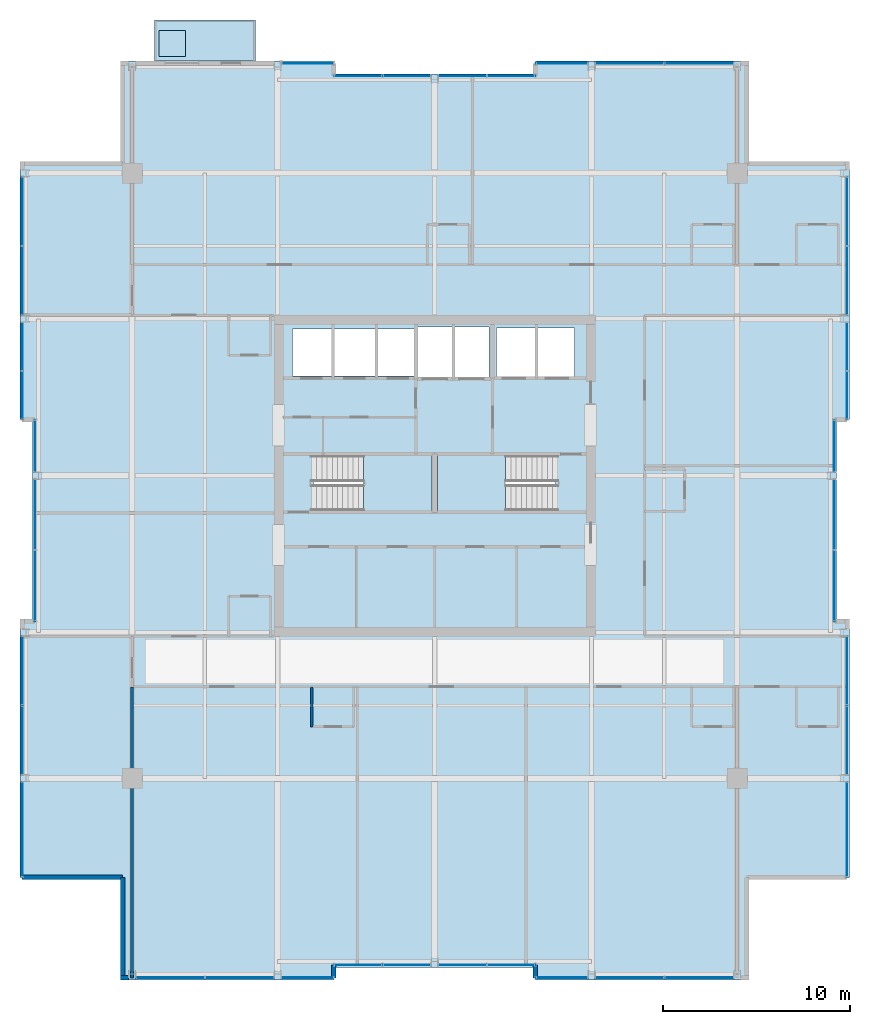
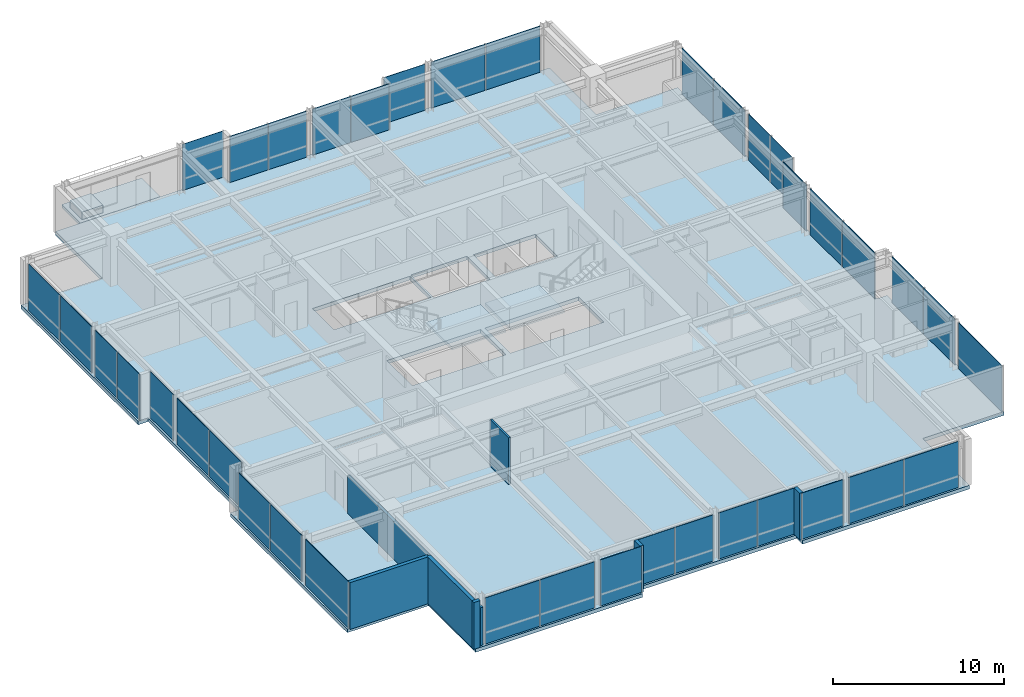
# One storey, part 24 of 30: 38 plates, 7 walls, 5 slabs, 25 elements without a shape of their own.
"""IFC4 building model written with IfcOpenShell, lengths in metres."""

from ifc_helpers import new_model, si_unit, direction, frame, frame_2d, origin, origin_2d, place, context, subcontext, project, spatial, polyline, rectangle, outline, extrude, material, layer, layer_set, type_object, element, aggregate, save


model = new_model("IFC4")

# Units and contexts
model_context = context("Model", 3, precision=1e-05, world=origin(), true_north=direction((0.0, 1.0)))
body_context = subcontext(model_context, "Body", "Model", "MODEL_VIEW")
ifc_project = project(units=[si_unit("LENGTHUNIT", "METRE"), si_unit("AREAUNIT", "SQUARE_METRE"), si_unit("VOLUMEUNIT", "CUBIC_METRE"), si_unit("PLANEANGLEUNIT", "RADIAN"), si_unit("MASSUNIT", "GRAM", prefix="KILO")], contexts=[model_context])

# Site, building, storey
site_placement = place(None, origin())
site = spatial("IfcSite", under=ifc_project, at=site_placement, CompositionType="ELEMENT")
building_placement = place(site_placement, origin())
building = spatial("IfcBuilding", under=site, at=building_placement, Name="Drelvath Grand Hotel", CompositionType="ELEMENT")
storey_placement = place(building_placement, frame((0.0, 0.0, 215.89990234375)))
storey = spatial("IfcBuildingStorey", under=building, at=storey_placement, Name="L56", CompositionType="ELEMENT", Elevation=215.89990234375)

# Slabs
ifc_material_1 = material(Name="Concrete f'c 40 MPa", Category="concrete")
ifc_layer_1 = layer(ifc_material_1, 0.239990234375)
ifc_layer_set_1 = layer_set([ifc_layer_1], Name="Concrete f'c 40 MPa")
slab_type_1 = type_object("IfcSlabType", Name="Cantilevered Tree Balcony Slab 240", PredefinedType="FLOOR", material=ifc_layer_set_1)
slab_1_placement = place(storey_placement, frame((0.0, 0.0, -0.239990234375)))
element("IfcSlab", 1, at=slab_1_placement, inside=storey, type_object=slab_type_1, Name="L56 Cantilevered Tree Balcony Slab 1", PredefinedType="FLOOR", context=body_context, shape_type="SweptSolid", body=[
    extrude(outline(polyline([(-15.0, 49.199951171875), (-9.60009765625, 49.199951171875), (-9.60009765625, 51.39990234375), (-15.0, 51.39990234375), (-15.0, 49.199951171875)])), origin(), (0.0, 0.0, 1.0), 0.239990234375),
])
ifc_layer_2 = layer(ifc_material_1, 0.260009765625)
ifc_layer_set_2 = layer_set([ifc_layer_2], Name="Concrete f'c 40 MPa")
slab_type_2 = type_object("IfcSlabType", Name="Composite RC Floor Slab 260", PredefinedType="FLOOR", material=ifc_layer_set_2)
slab_2_placement = place(storey_placement, frame((0.0, 0.0, -0.260009765625)))
element("IfcSlab", 2, at=slab_2_placement, inside=storey, type_object=slab_type_2, Name="L56 Structural Floor Slab", PredefinedType="FLOOR", context=body_context, shape_type="SweptSolid", body=[
    extrude(outline(polyline([(-16.699951171875, 0.0), (-5.39990234375, 0.0), (-5.39990234375, 0.679931640625), (5.39990234375, 0.679931640625), (5.39990234375, 0.0), (16.699951171875, 0.0), (16.699951171875, 5.5), (22.199951171875, 5.5), (22.199951171875, 19.199951171875), (21.52001953125, 19.199951171875), (21.52001953125, 30.0), (22.199951171875, 30.0), (22.199951171875, 43.699951171875), (16.699951171875, 43.699951171875), (16.699951171875, 49.199951171875), (5.39990234375, 49.199951171875), (5.39990234375, 48.52001953125), (-5.39990234375, 48.52001953125), (-5.39990234375, 49.199951171875), (-16.699951171875, 49.199951171875), (-16.699951171875, 43.699951171875), (-22.199951171875, 43.699951171875), (-22.199951171875, 30.0), (-21.52001953125, 30.0), (-21.52001953125, 19.199951171875), (-22.199951171875, 19.199951171875), (-22.199951171875, 5.5), (-16.699951171875, 5.5), (-16.699951171875, 0.0)]), holes=[polyline([(-6.47998046875, 25.1201171875), (-6.47998046875, 28.080078125), (-0.14990234375, 28.080078125), (-0.14990234375, 25.1201171875), (-6.47998046875, 25.1201171875)]), polyline([(0.14990234375, 25.1201171875), (0.14990234375, 28.080078125), (6.47998046875, 28.080078125), (6.47998046875, 25.1201171875), (0.14990234375, 25.1201171875)]), polyline([(-7.60009765625, 32.35009765625), (-7.60009765625, 34.85009765625), (-1.02001953125, 34.85009765625), (-1.02001953125, 32.35009765625), (-7.60009765625, 32.35009765625)]), polyline([(-0.89990234375, 32.25), (-0.89990234375, 34.949951171875), (2.89990234375, 34.949951171875), (2.89990234375, 32.25), (-0.89990234375, 32.25)]), polyline([(3.300048828125, 32.300048828125), (3.300048828125, 34.89990234375), (7.5, 34.89990234375), (7.5, 32.300048828125), (3.300048828125, 32.300048828125)])]), origin(), (0.0, 0.0, 1.0), 0.260009765625),
])

# Stair, slab
ifc_material_2 = material(Name="Concrete C40/50", Category="concrete")
stair_type = type_object("IfcStairType", Name="Dogleg Exit Stair W1400-R163.6", PredefinedType="HALF_TURN_STAIR", material=ifc_material_2)
stair_1_placement = place(storey_placement, origin())
stair_1 = element("IfcStair", 3, at=stair_1_placement, inside=storey, type_object=stair_type, Name="L56 Core Exit Stair ST-1", PredefinedType="HALF_TURN_STAIR")
ifc_layer_3 = layer(ifc_material_2, 0.199951171875)
ifc_layer_set_3 = layer_set([ifc_layer_3], Name="Concrete C40/50")
slab_type_3 = type_object("IfcSlabType", Name="Concrete Stair Landing Slab 200", PredefinedType="LANDING", material=ifc_layer_set_3)
slab_3_placement = place(storey_placement, frame((0.0, 0.0, 1.60009765625)))
slab_3 = element("IfcSlab", 4, at=slab_3_placement, type_object=slab_type_3, Name="ST-1 landing 1", PredefinedType="LANDING", context=body_context, shape_type="SweptSolid", body=[
    extrude(outline(polyline([(-3.800048828125, 25.1201171875), (-0.14990234375, 25.1201171875), (-0.14990234375, 28.080078125), (-3.800048828125, 28.080078125), (-3.800048828125, 25.1201171875)])), origin(), (0.0, 0.0, 1.0), 0.199951171875),
])
aggregate(stair_1, [slab_3])

stair_2_placement = place(storey_placement, origin())
stair_2 = element("IfcStair", 5, at=stair_2_placement, inside=storey, type_object=stair_type, Name="L56 Core Exit Stair ST-2", PredefinedType="HALF_TURN_STAIR")
slab_4_placement = place(storey_placement, frame((0.0, 0.0, 1.60009765625)))
slab_4 = element("IfcSlab", 6, at=slab_4_placement, type_object=slab_type_3, Name="ST-2 landing 1", PredefinedType="LANDING", context=body_context, shape_type="SweptSolid", body=[
    extrude(outline(polyline([(3.800048828125, 28.080078125), (0.14990234375, 28.080078125), (0.14990234375, 25.1201171875), (3.800048828125, 25.1201171875), (3.800048828125, 28.080078125)])), origin(), (0.0, 0.0, 1.0), 0.199951171875),
])
aggregate(stair_2, [slab_4])

# Curtain wall, plate
ifc_material_3 = material(Name="Platinum-Mist Anodised Aluminium Frame", Category="aluminium")
ifc_layer_4 = layer(ifc_material_3, 0.199951171875)
ifc_layer_set_4 = layer_set([ifc_layer_4], Name="Platinum-Mist Anodised Aluminium Frame")
curtain_wall_type = type_object("IfcCurtainWallType", Name="Stick Curtain Wall CW-05 Platinum Mist High-Rise", PredefinedType="NOTDEFINED", material=ifc_layer_set_4)
curtain_wall_1_placement = place(storey_placement, origin())
curtain_wall_1 = element("IfcCurtainWall", 7, at=curtain_wall_1_placement, inside=storey, type_object=curtain_wall_type, Name="L56 CW-05 Curtain Wall CW05-L56-WS1", PredefinedType="NOTDEFINED")
ifc_material_4 = material(Name="Low-E Triple Silver High-Altitude Glass", Category="glass")
ifc_layer_5 = layer(ifc_material_4, 0.035888671875)
ifc_layer_set_5 = layer_set([ifc_layer_5], Name="Low-E Triple Silver High-Altitude Glass")
plate_type = type_object("IfcPlateType", Name="Curtain Wall Vision Panel CW-05 36mm", PredefinedType="CURTAIN_PANEL", material=ifc_layer_set_5)
plate_1_placement = place(storey_placement, frame((-22.080078125, 8.057373046875, 0.02001953125), z_axis=(0.0, 0.0, 1.0), x_axis=(0.0, 1.0, 0.0)))
plate_1 = element("IfcPlate", 8, at=plate_1_placement, type_object=plate_type, Name="CW05-L56-WS1 Glazed Panel 1", PredefinedType="CURTAIN_PANEL", context=body_context, shape_type="SweptSolid", body=[
    extrude(rectangle(XDim=5.07470703125, YDim=0.035888671875, at=origin_2d()), origin(), (0.0, 0.0, 1.0), 3.300048828125),
])
aggregate(curtain_wall_1, [plate_1])

# Curtain wall, plates
curtain_wall_2_placement = place(storey_placement, origin())
curtain_wall_2 = element("IfcCurtainWall", 9, at=curtain_wall_2_placement, inside=storey, type_object=curtain_wall_type, Name="L56 CW-05 Curtain Wall CW05-L56-WS2", PredefinedType="NOTDEFINED")
plate_2_placement = place(storey_placement, frame((-22.080078125, 12.842529296875, 0.02001953125), z_axis=(0.0, 0.0, 1.0), x_axis=(0.0, 1.0, 0.0)))
plate_2 = element("IfcPlate", 10, at=plate_2_placement, type_object=plate_type, Name="CW05-L56-WS2 Glazed Panel 1", PredefinedType="CURTAIN_PANEL", context=body_context, shape_type="SweptSolid", body=[
    extrude(rectangle(XDim=3.6748046875, YDim=0.035888671875, at=origin_2d()), origin(), (0.0, 0.0, 1.0), 3.300048828125),
])
plate_3_placement = place(storey_placement, frame((-22.080078125, 16.557373046875, 0.02001953125), z_axis=(0.0, 0.0, 1.0), x_axis=(0.0, 1.0, 0.0)))
plate_3 = element("IfcPlate", 11, at=plate_3_placement, type_object=plate_type, Name="CW05-L56-WS2 Glazed Panel 2", PredefinedType="CURTAIN_PANEL", context=body_context, shape_type="SweptSolid", body=[
    extrude(rectangle(XDim=3.6748046875, YDim=0.035888671875, at=origin_2d()), origin(), (0.0, 0.0, 1.0), 3.300048828125),
])
aggregate(curtain_wall_2, [plate_2, plate_3])

curtain_wall_3_placement = place(storey_placement, origin())
curtain_wall_3 = element("IfcCurtainWall", 12, at=curtain_wall_3_placement, inside=storey, type_object=curtain_wall_type, Name="L56 CW-05 Curtain Wall CW05-L56-WM1", PredefinedType="NOTDEFINED")
plate_4_placement = place(storey_placement, frame((-21.39990234375, 21.103759765625, 0.02001953125), z_axis=(0.0, 0.0, 1.0), x_axis=(0.0, 1.0, 0.0)))
plate_4 = element("IfcPlate", 13, at=plate_4_placement, type_object=plate_type, Name="CW05-L56-WM1 Glazed Panel 1", PredefinedType="CURTAIN_PANEL", context=body_context, shape_type="SweptSolid", body=[
    extrude(rectangle(XDim=3.767333984375, YDim=0.035888671875, at=origin_2d()), origin(), (0.0, 0.0, 1.0), 3.300048828125),
])
plate_5_placement = place(storey_placement, frame((-21.39990234375, 24.910888671875, 0.02001953125), z_axis=(0.0, 0.0, 1.0), x_axis=(0.0, 1.0, 0.0)))
plate_5 = element("IfcPlate", 14, at=plate_5_placement, type_object=plate_type, Name="CW05-L56-WM1 Glazed Panel 2", PredefinedType="CURTAIN_PANEL", context=body_context, shape_type="SweptSolid", body=[
    extrude(rectangle(XDim=3.767333984375, YDim=0.035888671875, at=origin_2d()), origin(), (0.0, 0.0, 1.0), 3.300048828125),
])
aggregate(curtain_wall_3, [plate_4, plate_5])

# Curtain wall, plate
curtain_wall_4_placement = place(storey_placement, origin())
curtain_wall_4 = element("IfcCurtainWall", 15, at=curtain_wall_4_placement, inside=storey, type_object=curtain_wall_type, Name="L56 CW-05 Curtain Wall CW05-L56-WM2", PredefinedType="NOTDEFINED")
plate_6_placement = place(storey_placement, frame((-21.39990234375, 28.592529296875, 0.02001953125), z_axis=(0.0, 0.0, 1.0), x_axis=(0.0, 1.0, 0.0)))
plate_6 = element("IfcPlate", 16, at=plate_6_placement, type_object=plate_type, Name="CW05-L56-WM2 Glazed Panel 1", PredefinedType="CURTAIN_PANEL", context=body_context, shape_type="SweptSolid", body=[
    extrude(rectangle(XDim=2.774658203125, YDim=0.035888671875, at=origin_2d()), origin(), (0.0, 0.0, 1.0), 3.300048828125),
])
aggregate(curtain_wall_4, [plate_6])

# Curtain wall, plates
curtain_wall_5_placement = place(storey_placement, origin())
curtain_wall_5 = element("IfcCurtainWall", 17, at=curtain_wall_5_placement, inside=storey, type_object=curtain_wall_type, Name="L56 CW-05 Curtain Wall CW05-L56-WN1", PredefinedType="NOTDEFINED")
plate_7_placement = place(storey_placement, frame((-22.080078125, 31.3037109375, 0.02001953125), z_axis=(0.0, 0.0, 1.0), x_axis=(0.0, 1.0, 0.0)))
plate_7 = element("IfcPlate", 18, at=plate_7_placement, type_object=plate_type, Name="CW05-L56-WN1 Glazed Panel 1", PredefinedType="CURTAIN_PANEL", context=body_context, shape_type="SweptSolid", body=[
    extrude(rectangle(XDim=2.5673828125, YDim=0.035888671875, at=origin_2d()), origin(), (0.0, 0.0, 1.0), 3.300048828125),
])
plate_8_placement = place(storey_placement, frame((-22.080078125, 33.9111328125, 0.02001953125), z_axis=(0.0, 0.0, 1.0), x_axis=(0.0, 1.0, 0.0)))
plate_8 = element("IfcPlate", 19, at=plate_8_placement, type_object=plate_type, Name="CW05-L56-WN1 Glazed Panel 2", PredefinedType="CURTAIN_PANEL", context=body_context, shape_type="SweptSolid", body=[
    extrude(rectangle(XDim=2.5673828125, YDim=0.035888671875, at=origin_2d()), origin(), (0.0, 0.0, 1.0), 3.300048828125),
])
aggregate(curtain_wall_5, [plate_7, plate_8])

curtain_wall_6_placement = place(storey_placement, origin())
curtain_wall_6 = element("IfcCurtainWall", 20, at=curtain_wall_6_placement, inside=storey, type_object=curtain_wall_type, Name="L56 CW-05 Curtain Wall CW05-L56-WN2", PredefinedType="NOTDEFINED")
plate_9_placement = place(storey_placement, frame((-22.080078125, 37.442626953125, 0.02001953125), z_axis=(0.0, 0.0, 1.0), x_axis=(0.0, 1.0, 0.0)))
plate_9 = element("IfcPlate", 21, at=plate_9_placement, type_object=plate_type, Name="CW05-L56-WN2 Glazed Panel 1", PredefinedType="CURTAIN_PANEL", context=body_context, shape_type="SweptSolid", body=[
    extrude(rectangle(XDim=3.6748046875, YDim=0.035888671875, at=origin_2d()), origin(), (0.0, 0.0, 1.0), 3.300048828125),
])
plate_10_placement = place(storey_placement, frame((-22.080078125, 41.157470703125, 0.02001953125), z_axis=(0.0, 0.0, 1.0), x_axis=(0.0, 1.0, 0.0)))
plate_10 = element("IfcPlate", 22, at=plate_10_placement, type_object=plate_type, Name="CW05-L56-WN2 Glazed Panel 2", PredefinedType="CURTAIN_PANEL", context=body_context, shape_type="SweptSolid", body=[
    extrude(rectangle(XDim=3.6748046875, YDim=0.035888671875, at=origin_2d()), origin(), (0.0, 0.0, 1.0), 3.300048828125),
])
aggregate(curtain_wall_6, [plate_9, plate_10])

curtain_wall_7_placement = place(storey_placement, origin())
curtain_wall_7 = element("IfcCurtainWall", 23, at=curtain_wall_7_placement, inside=storey, type_object=curtain_wall_type, Name="L56 CW-05 Curtain Wall CW05-L56-EN1", PredefinedType="NOTDEFINED")
plate_11_placement = place(storey_placement, frame((22.080078125, 33.9111328125, 0.02001953125), z_axis=(0.0, 0.0, 1.0), x_axis=(0.0, -1.0, 0.0)))
plate_11 = element("IfcPlate", 24, at=plate_11_placement, type_object=plate_type, Name="CW05-L56-EN1 Glazed Panel 1", PredefinedType="CURTAIN_PANEL", context=body_context, shape_type="SweptSolid", body=[
    extrude(rectangle(XDim=2.5673828125, YDim=0.035888671875, at=origin_2d()), origin(), (0.0, 0.0, 1.0), 3.300048828125),
])
plate_12_placement = place(storey_placement, frame((22.080078125, 31.3037109375, 0.02001953125), z_axis=(0.0, 0.0, 1.0), x_axis=(0.0, -1.0, 0.0)))
plate_12 = element("IfcPlate", 25, at=plate_12_placement, type_object=plate_type, Name="CW05-L56-EN1 Glazed Panel 2", PredefinedType="CURTAIN_PANEL", context=body_context, shape_type="SweptSolid", body=[
    extrude(rectangle(XDim=2.5673828125, YDim=0.035888671875, at=origin_2d()), origin(), (0.0, 0.0, 1.0), 3.300048828125),
])
aggregate(curtain_wall_7, [plate_11, plate_12])

curtain_wall_8_placement = place(storey_placement, origin())
curtain_wall_8 = element("IfcCurtainWall", 26, at=curtain_wall_8_placement, inside=storey, type_object=curtain_wall_type, Name="L56 CW-05 Curtain Wall CW05-L56-EN2", PredefinedType="NOTDEFINED")
plate_13_placement = place(storey_placement, frame((22.080078125, 41.157470703125, 0.02001953125), z_axis=(0.0, 0.0, 1.0), x_axis=(0.0, -1.0, 0.0)))
plate_13 = element("IfcPlate", 27, at=plate_13_placement, type_object=plate_type, Name="CW05-L56-EN2 Glazed Panel 1", PredefinedType="CURTAIN_PANEL", context=body_context, shape_type="SweptSolid", body=[
    extrude(rectangle(XDim=3.6748046875, YDim=0.035888671875, at=origin_2d()), origin(), (0.0, 0.0, 1.0), 3.300048828125),
])
plate_14_placement = place(storey_placement, frame((22.080078125, 37.442626953125, 0.02001953125), z_axis=(0.0, 0.0, 1.0), x_axis=(0.0, -1.0, 0.0)))
plate_14 = element("IfcPlate", 28, at=plate_14_placement, type_object=plate_type, Name="CW05-L56-EN2 Glazed Panel 2", PredefinedType="CURTAIN_PANEL", context=body_context, shape_type="SweptSolid", body=[
    extrude(rectangle(XDim=3.6748046875, YDim=0.035888671875, at=origin_2d()), origin(), (0.0, 0.0, 1.0), 3.300048828125),
])
aggregate(curtain_wall_8, [plate_13, plate_14])

curtain_wall_9_placement = place(storey_placement, origin())
curtain_wall_9 = element("IfcCurtainWall", 29, at=curtain_wall_9_placement, inside=storey, type_object=curtain_wall_type, Name="L56 CW-05 Curtain Wall CW05-L56-EM1", PredefinedType="NOTDEFINED")
plate_15_placement = place(storey_placement, frame((21.39990234375, 24.910888671875, 0.02001953125), z_axis=(0.0, 0.0, 1.0), x_axis=(0.0, -1.0, 0.0)))
plate_15 = element("IfcPlate", 30, at=plate_15_placement, type_object=plate_type, Name="CW05-L56-EM1 Glazed Panel 1", PredefinedType="CURTAIN_PANEL", context=body_context, shape_type="SweptSolid", body=[
    extrude(rectangle(XDim=3.767333984375, YDim=0.035888671875, at=origin_2d()), origin(), (0.0, 0.0, 1.0), 3.300048828125),
])
plate_16_placement = place(storey_placement, frame((21.39990234375, 21.103759765625, 0.02001953125), z_axis=(0.0, 0.0, 1.0), x_axis=(0.0, -1.0, 0.0)))
plate_16 = element("IfcPlate", 31, at=plate_16_placement, type_object=plate_type, Name="CW05-L56-EM1 Glazed Panel 2", PredefinedType="CURTAIN_PANEL", context=body_context, shape_type="SweptSolid", body=[
    extrude(rectangle(XDim=3.767333984375, YDim=0.035888671875, at=origin_2d()), origin(), (0.0, 0.0, 1.0), 3.300048828125),
])
aggregate(curtain_wall_9, [plate_15, plate_16])

# Curtain wall, plate
curtain_wall_10_placement = place(storey_placement, origin())
curtain_wall_10 = element("IfcCurtainWall", 32, at=curtain_wall_10_placement, inside=storey, type_object=curtain_wall_type, Name="L56 CW-05 Curtain Wall CW05-L56-EM2", PredefinedType="NOTDEFINED")
plate_17_placement = place(storey_placement, frame((21.39990234375, 28.592529296875, 0.02001953125), z_axis=(0.0, 0.0, 1.0), x_axis=(0.0, -1.0, 0.0)))
plate_17 = element("IfcPlate", 33, at=plate_17_placement, type_object=plate_type, Name="CW05-L56-EM2 Glazed Panel 1", PredefinedType="CURTAIN_PANEL", context=body_context, shape_type="SweptSolid", body=[
    extrude(rectangle(XDim=2.774658203125, YDim=0.035888671875, at=origin_2d()), origin(), (0.0, 0.0, 1.0), 3.300048828125),
])
aggregate(curtain_wall_10, [plate_17])

curtain_wall_11_placement = place(storey_placement, origin())
curtain_wall_11 = element("IfcCurtainWall", 34, at=curtain_wall_11_placement, inside=storey, type_object=curtain_wall_type, Name="L56 CW-05 Curtain Wall CW05-L56-ES1", PredefinedType="NOTDEFINED")
plate_18_placement = place(storey_placement, frame((22.080078125, 8.057373046875, 0.02001953125), z_axis=(0.0, 0.0, 1.0), x_axis=(0.0, -1.0, 0.0)))
plate_18 = element("IfcPlate", 35, at=plate_18_placement, type_object=plate_type, Name="CW05-L56-ES1 Glazed Panel 1", PredefinedType="CURTAIN_PANEL", context=body_context, shape_type="SweptSolid", body=[
    extrude(rectangle(XDim=5.07470703125, YDim=0.035888671875, at=origin_2d()), origin(), (0.0, 0.0, 1.0), 3.300048828125),
])
aggregate(curtain_wall_11, [plate_18])

# Curtain wall, plates
curtain_wall_12_placement = place(storey_placement, origin())
curtain_wall_12 = element("IfcCurtainWall", 36, at=curtain_wall_12_placement, inside=storey, type_object=curtain_wall_type, Name="L56 CW-05 Curtain Wall CW05-L56-ES2", PredefinedType="NOTDEFINED")
plate_19_placement = place(storey_placement, frame((22.080078125, 16.557373046875, 0.02001953125), z_axis=(0.0, 0.0, 1.0), x_axis=(0.0, -1.0, 0.0)))
plate_19 = element("IfcPlate", 37, at=plate_19_placement, type_object=plate_type, Name="CW05-L56-ES2 Glazed Panel 1", PredefinedType="CURTAIN_PANEL", context=body_context, shape_type="SweptSolid", body=[
    extrude(rectangle(XDim=3.6748046875, YDim=0.035888671875, at=origin_2d()), origin(), (0.0, 0.0, 1.0), 3.300048828125),
])
plate_20_placement = place(storey_placement, frame((22.080078125, 12.842529296875, 0.02001953125), z_axis=(0.0, 0.0, 1.0), x_axis=(0.0, -1.0, 0.0)))
plate_20 = element("IfcPlate", 38, at=plate_20_placement, type_object=plate_type, Name="CW05-L56-ES2 Glazed Panel 2", PredefinedType="CURTAIN_PANEL", context=body_context, shape_type="SweptSolid", body=[
    extrude(rectangle(XDim=3.6748046875, YDim=0.035888671875, at=origin_2d()), origin(), (0.0, 0.0, 1.0), 3.300048828125),
])
aggregate(curtain_wall_12, [plate_19, plate_20])

# Curtain wall, plate
curtain_wall_13_placement = place(storey_placement, origin())
curtain_wall_13 = element("IfcCurtainWall", 39, at=curtain_wall_13_placement, inside=storey, type_object=curtain_wall_type, Name="L56 CW-05 Curtain Wall CW05-L56-NW3", PredefinedType="NOTDEFINED")
plate_21_placement = place(storey_placement, frame((-6.807373046875, 49.080078125, 0.02001953125), z_axis=(0.0, 0.0, 1.0), x_axis=(1.0, 0.0, 0.0)))
plate_21 = element("IfcPlate", 40, at=plate_21_placement, type_object=plate_type, Name="CW05-L56-NW3 Glazed Panel 1", PredefinedType="CURTAIN_PANEL", context=body_context, shape_type="SweptSolid", body=[
    extrude(rectangle(XDim=2.774658203125, YDim=0.035888671875, at=origin_2d()), origin(), (0.0, 0.0, 1.0), 3.300048828125),
])
aggregate(curtain_wall_13, [plate_21])

# Curtain wall, plates
curtain_wall_14_placement = place(storey_placement, origin())
curtain_wall_14 = element("IfcCurtainWall", 41, at=curtain_wall_14_placement, inside=storey, type_object=curtain_wall_type, Name="L56 CW-05 Curtain Wall CW05-L56-NM1", PredefinedType="NOTDEFINED")
plate_22_placement = place(storey_placement, frame((-4.096435546875, 48.39990234375, 0.02001953125), z_axis=(0.0, 0.0, 1.0), x_axis=(1.0, 0.0, 0.0)))
plate_22 = element("IfcPlate", 42, at=plate_22_placement, type_object=plate_type, Name="CW05-L56-NM1 Glazed Panel 1", PredefinedType="CURTAIN_PANEL", context=body_context, shape_type="SweptSolid", body=[
    extrude(rectangle(XDim=2.5673828125, YDim=0.035888671875, at=origin_2d()), origin(), (0.0, 0.0, 1.0), 3.300048828125),
])
plate_23_placement = place(storey_placement, frame((-1.489013671875, 48.39990234375, 0.02001953125), z_axis=(0.0, 0.0, 1.0), x_axis=(1.0, 0.0, 0.0)))
plate_23 = element("IfcPlate", 43, at=plate_23_placement, type_object=plate_type, Name="CW05-L56-NM1 Glazed Panel 2", PredefinedType="CURTAIN_PANEL", context=body_context, shape_type="SweptSolid", body=[
    extrude(rectangle(XDim=2.5673828125, YDim=0.035888671875, at=origin_2d()), origin(), (0.0, 0.0, 1.0), 3.300048828125),
])
aggregate(curtain_wall_14, [plate_22, plate_23])

curtain_wall_15_placement = place(storey_placement, origin())
curtain_wall_15 = element("IfcCurtainWall", 44, at=curtain_wall_15_placement, inside=storey, type_object=curtain_wall_type, Name="L56 CW-05 Curtain Wall CW05-L56-NM2", PredefinedType="NOTDEFINED")
plate_24_placement = place(storey_placement, frame((1.489013671875, 48.39990234375, 0.02001953125), z_axis=(0.0, 0.0, 1.0), x_axis=(1.0, 0.0, 0.0)))
plate_24 = element("IfcPlate", 45, at=plate_24_placement, type_object=plate_type, Name="CW05-L56-NM2 Glazed Panel 1", PredefinedType="CURTAIN_PANEL", context=body_context, shape_type="SweptSolid", body=[
    extrude(rectangle(XDim=2.5673828125, YDim=0.035888671875, at=origin_2d()), origin(), (0.0, 0.0, 1.0), 3.300048828125),
])
plate_25_placement = place(storey_placement, frame((4.096435546875, 48.39990234375, 0.02001953125), z_axis=(0.0, 0.0, 1.0), x_axis=(1.0, 0.0, 0.0)))
plate_25 = element("IfcPlate", 46, at=plate_25_placement, type_object=plate_type, Name="CW05-L56-NM2 Glazed Panel 2", PredefinedType="CURTAIN_PANEL", context=body_context, shape_type="SweptSolid", body=[
    extrude(rectangle(XDim=2.5673828125, YDim=0.035888671875, at=origin_2d()), origin(), (0.0, 0.0, 1.0), 3.300048828125),
])
aggregate(curtain_wall_15, [plate_24, plate_25])

# Curtain wall, plate
curtain_wall_16_placement = place(storey_placement, origin())
curtain_wall_16 = element("IfcCurtainWall", 47, at=curtain_wall_16_placement, inside=storey, type_object=curtain_wall_type, Name="L56 CW-05 Curtain Wall CW05-L56-NE1", PredefinedType="NOTDEFINED")
plate_26_placement = place(storey_placement, frame((6.807373046875, 49.080078125, 0.02001953125), z_axis=(0.0, 0.0, 1.0), x_axis=(1.0, 0.0, 0.0)))
plate_26 = element("IfcPlate", 48, at=plate_26_placement, type_object=plate_type, Name="CW05-L56-NE1 Glazed Panel 1", PredefinedType="CURTAIN_PANEL", context=body_context, shape_type="SweptSolid", body=[
    extrude(rectangle(XDim=2.774658203125, YDim=0.035888671875, at=origin_2d()), origin(), (0.0, 0.0, 1.0), 3.300048828125),
])
aggregate(curtain_wall_16, [plate_26])

# Curtain wall, plates
curtain_wall_17_placement = place(storey_placement, origin())
curtain_wall_17 = element("IfcCurtainWall", 49, at=curtain_wall_17_placement, inside=storey, type_object=curtain_wall_type, Name="L56 CW-05 Curtain Wall CW05-L56-NE2", PredefinedType="NOTDEFINED")
plate_27_placement = place(storey_placement, frame((10.442626953125, 49.080078125, 0.02001953125), z_axis=(0.0, 0.0, 1.0), x_axis=(1.0, 0.0, 0.0)))
plate_27 = element("IfcPlate", 50, at=plate_27_placement, type_object=plate_type, Name="CW05-L56-NE2 Glazed Panel 1", PredefinedType="CURTAIN_PANEL", context=body_context, shape_type="SweptSolid", body=[
    extrude(rectangle(XDim=3.6748046875, YDim=0.035888671875, at=origin_2d()), origin(), (0.0, 0.0, 1.0), 3.300048828125),
])
plate_28_placement = place(storey_placement, frame((14.157470703125, 49.080078125, 0.02001953125), z_axis=(0.0, 0.0, 1.0), x_axis=(1.0, 0.0, 0.0)))
plate_28 = element("IfcPlate", 51, at=plate_28_placement, type_object=plate_type, Name="CW05-L56-NE2 Glazed Panel 2", PredefinedType="CURTAIN_PANEL", context=body_context, shape_type="SweptSolid", body=[
    extrude(rectangle(XDim=3.6748046875, YDim=0.035888671875, at=origin_2d()), origin(), (0.0, 0.0, 1.0), 3.300048828125),
])
aggregate(curtain_wall_17, [plate_27, plate_28])

# Curtain wall, plate
curtain_wall_18_placement = place(storey_placement, origin())
curtain_wall_18 = element("IfcCurtainWall", 52, at=curtain_wall_18_placement, inside=storey, type_object=curtain_wall_type, Name="L56 CW-05 Curtain Wall CW05-L56-SE1", PredefinedType="NOTDEFINED")
plate_29_placement = place(storey_placement, frame((6.807373046875, 0.1201171875, 0.02001953125), z_axis=(0.0, 0.0, 1.0), x_axis=(-1.0, 0.0, 0.0)))
plate_29 = element("IfcPlate", 53, at=plate_29_placement, type_object=plate_type, Name="CW05-L56-SE1 Glazed Panel 1", PredefinedType="CURTAIN_PANEL", context=body_context, shape_type="SweptSolid", body=[
    extrude(rectangle(XDim=2.774658203125, YDim=0.035888671875, at=origin_2d()), origin(), (0.0, 0.0, 1.0), 3.300048828125),
])
aggregate(curtain_wall_18, [plate_29])

# Curtain wall, plates
curtain_wall_19_placement = place(storey_placement, origin())
curtain_wall_19 = element("IfcCurtainWall", 54, at=curtain_wall_19_placement, inside=storey, type_object=curtain_wall_type, Name="L56 CW-05 Curtain Wall CW05-L56-SE2", PredefinedType="NOTDEFINED")
plate_30_placement = place(storey_placement, frame((14.157470703125, 0.1201171875, 0.02001953125), z_axis=(0.0, 0.0, 1.0), x_axis=(-1.0, 0.0, 0.0)))
plate_30 = element("IfcPlate", 55, at=plate_30_placement, type_object=plate_type, Name="CW05-L56-SE2 Glazed Panel 1", PredefinedType="CURTAIN_PANEL", context=body_context, shape_type="SweptSolid", body=[
    extrude(rectangle(XDim=3.6748046875, YDim=0.035888671875, at=origin_2d()), origin(), (0.0, 0.0, 1.0), 3.300048828125),
])
plate_31_placement = place(storey_placement, frame((10.442626953125, 0.1201171875, 0.02001953125), z_axis=(0.0, 0.0, 1.0), x_axis=(-1.0, 0.0, 0.0)))
plate_31 = element("IfcPlate", 56, at=plate_31_placement, type_object=plate_type, Name="CW05-L56-SE2 Glazed Panel 2", PredefinedType="CURTAIN_PANEL", context=body_context, shape_type="SweptSolid", body=[
    extrude(rectangle(XDim=3.6748046875, YDim=0.035888671875, at=origin_2d()), origin(), (0.0, 0.0, 1.0), 3.300048828125),
])
aggregate(curtain_wall_19, [plate_30, plate_31])

curtain_wall_20_placement = place(storey_placement, origin())
curtain_wall_20 = element("IfcCurtainWall", 57, at=curtain_wall_20_placement, inside=storey, type_object=curtain_wall_type, Name="L56 CW-05 Curtain Wall CW05-L56-SM1", PredefinedType="NOTDEFINED")
plate_32_placement = place(storey_placement, frame((-1.489013671875, 0.800048828125, 0.02001953125), z_axis=(0.0, 0.0, 1.0), x_axis=(-1.0, 0.0, 0.0)))
plate_32 = element("IfcPlate", 58, at=plate_32_placement, type_object=plate_type, Name="CW05-L56-SM1 Glazed Panel 1", PredefinedType="CURTAIN_PANEL", context=body_context, shape_type="SweptSolid", body=[
    extrude(rectangle(XDim=2.5673828125, YDim=0.035888671875, at=origin_2d()), origin(), (0.0, 0.0, 1.0), 3.300048828125),
])
plate_33_placement = place(storey_placement, frame((-4.096435546875, 0.800048828125, 0.02001953125), z_axis=(0.0, 0.0, 1.0), x_axis=(-1.0, 0.0, 0.0)))
plate_33 = element("IfcPlate", 59, at=plate_33_placement, type_object=plate_type, Name="CW05-L56-SM1 Glazed Panel 2", PredefinedType="CURTAIN_PANEL", context=body_context, shape_type="SweptSolid", body=[
    extrude(rectangle(XDim=2.5673828125, YDim=0.035888671875, at=origin_2d()), origin(), (0.0, 0.0, 1.0), 3.300048828125),
])
aggregate(curtain_wall_20, [plate_32, plate_33])

curtain_wall_21_placement = place(storey_placement, origin())
curtain_wall_21 = element("IfcCurtainWall", 60, at=curtain_wall_21_placement, inside=storey, type_object=curtain_wall_type, Name="L56 CW-05 Curtain Wall CW05-L56-SM2", PredefinedType="NOTDEFINED")
plate_34_placement = place(storey_placement, frame((4.096435546875, 0.800048828125, 0.02001953125), z_axis=(0.0, 0.0, 1.0), x_axis=(-1.0, 0.0, 0.0)))
plate_34 = element("IfcPlate", 61, at=plate_34_placement, type_object=plate_type, Name="CW05-L56-SM2 Glazed Panel 1", PredefinedType="CURTAIN_PANEL", context=body_context, shape_type="SweptSolid", body=[
    extrude(rectangle(XDim=2.5673828125, YDim=0.035888671875, at=origin_2d()), origin(), (0.0, 0.0, 1.0), 3.300048828125),
])
plate_35_placement = place(storey_placement, frame((1.489013671875, 0.800048828125, 0.02001953125), z_axis=(0.0, 0.0, 1.0), x_axis=(-1.0, 0.0, 0.0)))
plate_35 = element("IfcPlate", 62, at=plate_35_placement, type_object=plate_type, Name="CW05-L56-SM2 Glazed Panel 2", PredefinedType="CURTAIN_PANEL", context=body_context, shape_type="SweptSolid", body=[
    extrude(rectangle(XDim=2.5673828125, YDim=0.035888671875, at=origin_2d()), origin(), (0.0, 0.0, 1.0), 3.300048828125),
])
aggregate(curtain_wall_21, [plate_34, plate_35])

curtain_wall_22_placement = place(storey_placement, origin())
curtain_wall_22 = element("IfcCurtainWall", 63, at=curtain_wall_22_placement, inside=storey, type_object=curtain_wall_type, Name="L56 CW-05 Curtain Wall CW05-L56-SW2", PredefinedType="NOTDEFINED")
plate_36_placement = place(storey_placement, frame((-10.442626953125, 0.1201171875, 0.02001953125), z_axis=(0.0, 0.0, 1.0), x_axis=(-1.0, 0.0, 0.0)))
plate_36 = element("IfcPlate", 64, at=plate_36_placement, type_object=plate_type, Name="CW05-L56-SW2 Glazed Panel 1", PredefinedType="CURTAIN_PANEL", context=body_context, shape_type="SweptSolid", body=[
    extrude(rectangle(XDim=3.6748046875, YDim=0.035888671875, at=origin_2d()), origin(), (0.0, 0.0, 1.0), 3.300048828125),
])
plate_37_placement = place(storey_placement, frame((-14.157470703125, 0.1201171875, 0.02001953125), z_axis=(0.0, 0.0, 1.0), x_axis=(-1.0, 0.0, 0.0)))
plate_37 = element("IfcPlate", 65, at=plate_37_placement, type_object=plate_type, Name="CW05-L56-SW2 Glazed Panel 2", PredefinedType="CURTAIN_PANEL", context=body_context, shape_type="SweptSolid", body=[
    extrude(rectangle(XDim=3.6748046875, YDim=0.035888671875, at=origin_2d()), origin(), (0.0, 0.0, 1.0), 3.300048828125),
])
aggregate(curtain_wall_22, [plate_36, plate_37])

# Curtain wall, plate
curtain_wall_23_placement = place(storey_placement, origin())
curtain_wall_23 = element("IfcCurtainWall", 66, at=curtain_wall_23_placement, inside=storey, type_object=curtain_wall_type, Name="L56 CW-05 Curtain Wall CW05-L56-SW3", PredefinedType="NOTDEFINED")
plate_38_placement = place(storey_placement, frame((-6.807373046875, 0.1201171875, 0.02001953125), z_axis=(0.0, 0.0, 1.0), x_axis=(-1.0, 0.0, 0.0)))
plate_38 = element("IfcPlate", 67, at=plate_38_placement, type_object=plate_type, Name="CW05-L56-SW3 Glazed Panel 1", PredefinedType="CURTAIN_PANEL", context=body_context, shape_type="SweptSolid", body=[
    extrude(rectangle(XDim=2.774658203125, YDim=0.035888671875, at=origin_2d()), origin(), (0.0, 0.0, 1.0), 3.300048828125),
])
aggregate(curtain_wall_23, [plate_38])

# Slab
ifc_layer_6 = layer(ifc_material_1, 0.550048828125)
ifc_layer_set_6 = layer_set([ifc_layer_6], Name="Concrete f'c 40 MPa")
slab_type_4 = type_object("IfcSlabType", Name="Structural Tree Planter Box 550", PredefinedType="USERDEFINED", material=ifc_layer_set_6)
slab_5_placement = place(storey_placement, origin())
element("IfcSlab", 68, at=slab_5_placement, inside=storey, type_object=slab_type_4, Name="L56 Tree Balcony Structural Planter 1", ObjectType="PLANTER", PredefinedType="USERDEFINED", context=body_context, shape_type="SweptSolid", body=[
    extrude(outline(polyline([(-14.75, 49.449951171875), (-13.35009765625, 49.449951171875), (-13.35009765625, 50.85009765625), (-14.75, 50.85009765625), (-14.75, 49.449951171875)])), origin(), (0.0, 0.0, 1.0), 0.550048828125),
])

# Walls
ifc_material_5 = material(Name="Moisture-Resistant Gypsum Board")
ifc_layer_7 = layer(ifc_material_5, 0.139892578125)
ifc_layer_set_7 = layer_set([ifc_layer_7], Name="Moisture-Resistant Gypsum Board")
wall_type_1 = type_object("IfcWallType", Name="En-Suite Plumbing Wall 140", PredefinedType="PLUMBINGWALL", material=ifc_layer_set_7)
wall_1_placement = place(storey_placement, frame((-6.57421875, 15.699951171875, 0.0), z_axis=(0.0, 0.0, 1.0), x_axis=(0.0, -1.0, 0.0)))
element("IfcWall", 69, at=wall_1_placement, inside=storey, type_object=wall_type_1, Name="L56 En-Suite Left Wall", PredefinedType="PLUMBINGWALL", context=body_context, shape_type="SweptSolid", body=[
    extrude(rectangle(XDim=2.14990234375, YDim=0.139892578125, at=frame_2d((1.074951171875, 0.0))), origin(), (0.0, 0.0, 1.0), 3.340087890625),
])
ifc_material_6 = material(Name="Gypsum Acoustic Partition")
ifc_layer_8 = layer(ifc_material_6, 0.1650390625)
ifc_layer_set_8 = layer_set([ifc_layer_8], Name="Gypsum Acoustic Partition")
wall_type_2 = type_object("IfcWallType", Name="Suite Demising Wall 165", PredefinedType="PARTITIONING", material=ifc_layer_set_8)
wall_2_placement = place(storey_placement, frame((-16.199951171875, 0.1201171875, 0.0), z_axis=(0.0, 0.0, 1.0), x_axis=(0.0, 1.0, 0.0)))
element("IfcWall", 70, at=wall_2_placement, inside=storey, type_object=wall_type_2, Name="L56 SW Suite Wall", PredefinedType="PARTITIONING", context=body_context, shape_type="SweptSolid", body=[
    extrude(rectangle(XDim=15.579833984375, YDim=0.1650390625, at=frame_2d((7.7900390625, 0.0))), origin(), (0.0, 0.0, 1.0), 2.7138671875),
])
ifc_material_7 = material(Name="Pale-Metal Insulated Aluminium Spandrel Assembly", Category="aluminium")
ifc_layer_9 = layer(ifc_material_7, 0.239990234375)
ifc_layer_set_9 = layer_set([ifc_layer_9], Name="Pale-Metal Insulated Aluminium Spandrel Assembly")
wall_type_3 = type_object("IfcWallType", Name="Tower Insulated Metal Spandrel Closure Wall 240", PredefinedType="STANDARD", material=ifc_layer_set_9)
wall_3_placement = place(storey_placement, frame((-16.38525390625, 0.1201171875, 0.0), z_axis=(0.0, 0.0, 1.0), x_axis=(-1.0, 0.0, 0.0)))
element("IfcWall", 71, at=wall_3_placement, inside=storey, type_object=wall_type_3, Name="L56 Corner Pier Spandrel Wall SW1", PredefinedType="STANDARD", context=body_context, shape_type="SweptSolid", body=[
    extrude(rectangle(XDim=0.434814453125, YDim=0.239990234375, at=frame_2d((0.21728515625, 0.0))), origin(), (0.0, 0.0, 1.0), 3.340087890625),
])
wall_4_placement = place(storey_placement, frame((-16.699951171875, 0.239990234375, 0.0), z_axis=(0.0, 0.0, 1.0), x_axis=(0.0, 1.0, 0.0)))
element("IfcWall", 72, at=wall_4_placement, inside=storey, type_object=wall_type_3, Name="L56 Notched Corner Return Spandrel Wall CSW1", PredefinedType="STANDARD", context=body_context, shape_type="SweptSolid", body=[
    extrude(rectangle(XDim=5.260009765625, YDim=0.239990234375, at=frame_2d((2.6298828125, 0.0))), origin(), (0.0, 0.0, 1.0), 3.340087890625),
])
wall_5_placement = place(storey_placement, frame((-16.699951171875, 5.5, 0.0), z_axis=(0.0, 0.0, 1.0), x_axis=(-1.0, 0.0, 0.0)))
element("IfcWall", 73, at=wall_5_placement, inside=storey, type_object=wall_type_3, Name="L56 Notched Corner Return Spandrel Wall CSW2", PredefinedType="STANDARD", context=body_context, shape_type="SweptSolid", body=[
    extrude(rectangle(XDim=5.380126953125, YDim=0.239990234375, at=frame_2d((2.68994140625, 0.0))), origin(), (0.0, 0.0, 1.0), 3.340087890625),
])
for number, where, z_axis, x_axis, name in (
    (74, (5.39990234375, 0.1201171875, 0.0), (0.0, 0.0, 1.0), (0.0, 1.0, 0.0), "L56 Notched Corner Return Spandrel Wall RS1"),
    (75, (-5.39990234375, 0.800048828125, 0.0), (0.0, 0.0, 1.0), (0.0, -1.0, 0.0), "L56 Notched Corner Return Spandrel Wall RS2"),
):
    element("IfcWall", number, at=place(storey_placement, frame(where, z_axis=z_axis, x_axis=x_axis)), inside=storey, type_object=wall_type_3, Name=name, PredefinedType="STANDARD", context=body_context, shape_type="SweptSolid", body=[
        extrude(rectangle(XDim=0.679931640625, YDim=0.239990234375, at=frame_2d((0.33984375, 0.0))), origin(), (0.0, 0.0, 1.0), 3.340087890625),
    ])

save(model, "model.ifc")
